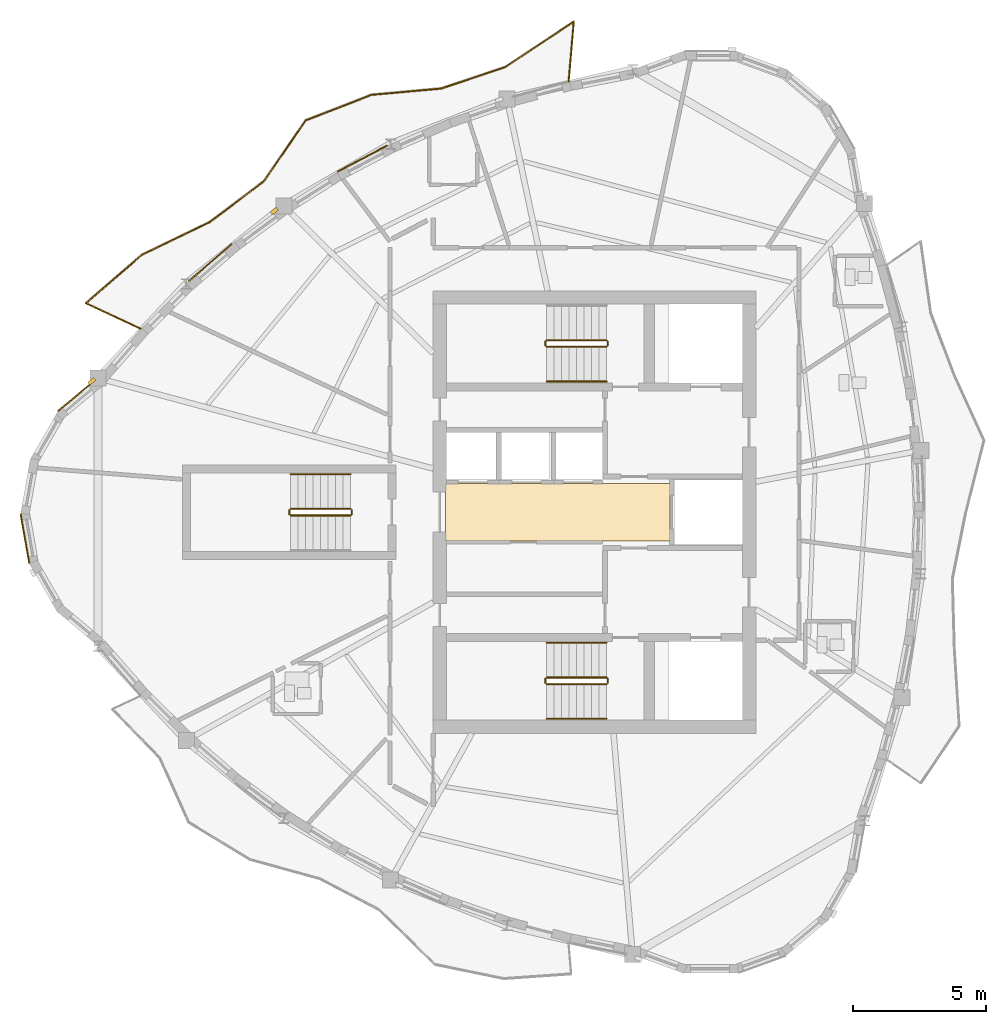
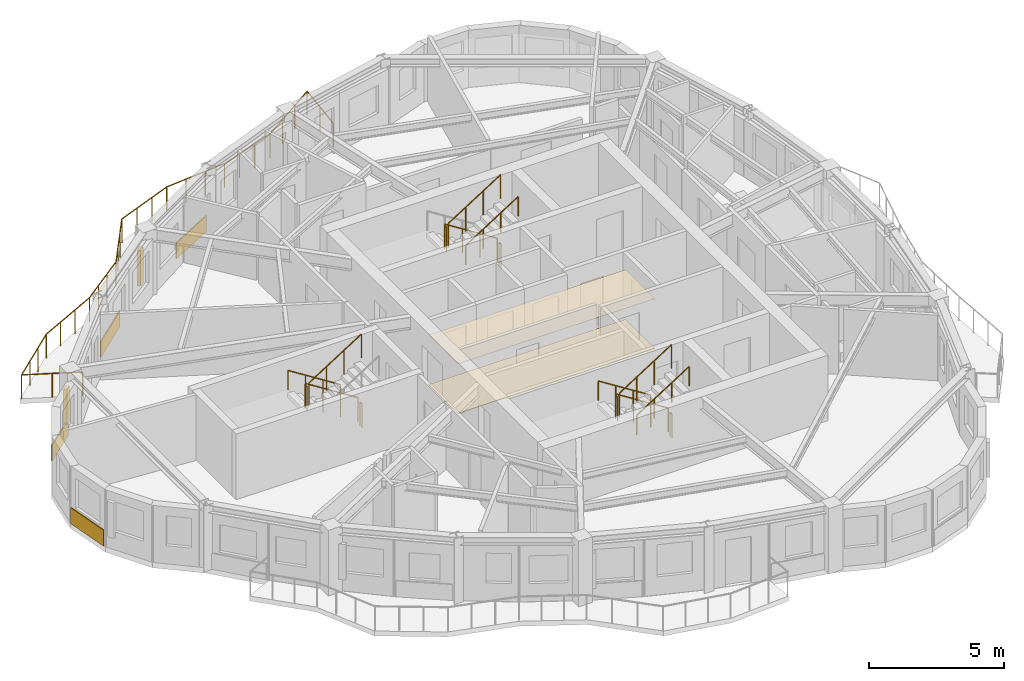
# One storey, part 10 of 12: 17 railings, 6 coverings, 2 shading devices.
"""IFC4 building model written with IfcOpenShell, lengths in metres."""

from ifc_helpers import new_model, si_unit, direction, frame, origin, origin_2d, place, context, subcontext, project, spatial, polyline, rectangle, circle, outline, extrude, source, transform, mapped, material, layer, layer_set, type_object, element, save


model = new_model("IFC4")

# Units and contexts
model_context = context("Model", 3, precision=1e-05, world=origin(), true_north=direction((0.0, 1.0)))
body_context = subcontext(model_context, "Body", "Model", "MODEL_VIEW")
ifc_project = project(units=[si_unit("LENGTHUNIT", "METRE"), si_unit("AREAUNIT", "SQUARE_METRE"), si_unit("VOLUMEUNIT", "CUBIC_METRE"), si_unit("PLANEANGLEUNIT", "RADIAN"), si_unit("MASSUNIT", "GRAM", prefix="KILO")], contexts=[model_context])

# Site, building, storey
site_placement = place(None, origin())
site = spatial("IfcSite", under=ifc_project, at=site_placement, CompositionType="ELEMENT")
building_placement = place(site_placement, origin())
building = spatial("IfcBuilding", under=site, at=building_placement, Name="Qafzar Sky-Pleat Residences", CompositionType="ELEMENT")
storey_placement = place(building_placement, frame((0.0, 0.0, 198.800048828125)))
storey = spatial("IfcBuildingStorey", under=building, at=storey_placement, Name="L59", CompositionType="ELEMENT", Elevation=198.800048828125)

# Coverings
ifc_material_1 = material(Name="Perforated acoustic gypsum board ceiling")
ifc_layer_1 = layer(ifc_material_1, 0.02001953125)
ifc_layer_set_1 = layer_set([ifc_layer_1], Name="Perforated acoustic gypsum board ceiling")
covering_type_1 = type_object("IfcCoveringType", Name="COV-CEIL-ACOUSTIC", PredefinedType="CEILING", material=ifc_layer_set_1)
covering_1_placement = place(storey_placement, frame((0.0, 0.0, 2.239990234375)))
element("IfcCovering", 1, at=covering_1_placement, inside=storey, type_object=covering_type_1, Name="L59 Passenger Lift Lobby Acoustic Ceiling", PredefinedType="CEILING", context=body_context, shape_type="SweptSolid", body=[
    extrude(outline(polyline([(33.179931640625, 24.919921875), (24.77001953125, 24.919921875), (24.77001953125, 27.080078125), (33.179931640625, 27.080078125), (33.179931640625, 24.919921875)])), origin(), (0.0, 0.0, 1.0), 0.02001953125),
])
ifc_material_2 = material(Name="Honed porcelain and Riyadh stone tile flooring", Category="masonry")
ifc_layer_2 = layer(ifc_material_2, 0.02001953125)
ifc_layer_set_2 = layer_set([ifc_layer_2], Name="Honed porcelain and Riyadh stone tile flooring")
covering_type_2 = type_object("IfcCoveringType", Name="COV-FLR-PORCELAIN", PredefinedType="FLOORING", material=ifc_layer_set_2)
covering_2_placement = place(storey_placement, origin())
element("IfcCovering", 2, at=covering_2_placement, inside=storey, type_object=covering_type_2, Name="L59 Passenger Lift Lobby Honed Stone Flooring", PredefinedType="FLOORING", context=body_context, shape_type="SweptSolid", body=[
    extrude(outline(polyline([(33.179931640625, 24.919921875), (24.77001953125, 24.919921875), (24.77001953125, 27.080078125), (33.179931640625, 27.080078125), (33.179931640625, 24.919921875)])), origin(), (0.0, 0.0, 1.0), 0.02001953125),
])

# Shading devices
ifc_material_3 = material(Name="Honed Riyadh limestone solar fin", Category="masonry")
ifc_layer_3 = layer(ifc_material_3, 0.139892578125)
ifc_layer_set_3 = layer_set([ifc_layer_3], Name="Honed Riyadh limestone solar fin")
shading_device_type = type_object("IfcShadingDeviceType", Name="SHD-FIN-STONE", PredefinedType="SHUTTER", material=ifc_layer_set_3)
shared_shape_1 = source(origin(), body_context, "Body", "SweptSolid", [
    extrude(rectangle(XDim=0.139892578125, YDim=0.280029296875, at=origin_2d()), origin(), (0.0, 0.0, 1.0), 1.60009765625),
])
for number, where, z_axis, x_axis, name in (
    (3, (11.498046875, 30.90478515625, 0.599853515625), (0.0, 0.0, 1.0), (-0.642754210861, 0.76607246682, 0.0), "L59 Limestone Solar Fin 1"),
    (4, (18.345703125, 37.296630859375, 0.599853515625), (0.0, 0.0, 1.0), (-0.594855767827, 0.803832454858, 0.0), "L59 Limestone Solar Fin 45"),
):
    element("IfcShadingDevice", number, at=place(storey_placement, frame(where, z_axis=z_axis, x_axis=x_axis)), inside=storey, type_object=shading_device_type, Name=name, PredefinedType="SHUTTER", context=body_context, shape_type="MappedRepresentation", body=[
        mapped(shared_shape_1, transform((0.0, 0.0, 0.0), x_axis=(1.0, 0.0, 0.0), y_axis=(0.0, 1.0, 0.0), z_axis=(0.0, 0.0, 1.0), scale=1.0)),
    ])

# Covering
ifc_material_4 = material(Name="Honed Riyadh Tuwaiq limestone cladding", Category="masonry")
ifc_layer_4 = layer(ifc_material_4, 0.044921875)
ifc_layer_set_4 = layer_set([ifc_layer_4], Name="Honed Riyadh Tuwaiq limestone cladding")
covering_type_3 = type_object("IfcCoveringType", Name="COV-CLAD-STONE", PredefinedType="CLADDING", material=ifc_layer_set_4)
shared_shape_2 = source(origin(), body_context, "Body", "SweptSolid", [
    extrude(rectangle(XDim=1.88134765625, YDim=0.044921875, at=origin_2d()), origin(), (0.0, 0.0, 1.0), 0.719970703125),
])
covering_3_placement = place(storey_placement, frame((8.993408203125, 25.00439453125, 0.02001953125), z_axis=(0.0, 0.0, 1.0), x_axis=(0.173662519465, -0.984805224059, 0.0)))
element("IfcCovering", 5, at=covering_3_placement, inside=storey, type_object=covering_type_3, Name="L59 Riyadh Limestone Spandrel Cladding 4", PredefinedType="CLADDING", context=body_context, shape_type="MappedRepresentation", body=[
    mapped(shared_shape_2, transform((0.0, 0.0, 0.0), x_axis=(1.0, 0.0, 0.0), y_axis=(0.0, 1.0, 0.0), z_axis=(0.0, 0.0, 1.0), scale=1.0)),
])

# Railing
ifc_material_5 = material(Name="Laminated glass and bronze steel balustrade", Category="steel")
railing_type_1 = type_object("IfcRailingType", Name="RAIL-BAL-1100", PredefinedType="BALUSTRADE", material=ifc_material_5)
shared_shape_3 = source(origin(), body_context, "Body", "SweptSolid", [
    extrude(circle(Radius=0.02392578125, at=origin_2d()), frame((0.0, 0.0, 1.076171875), z_axis=(0.085358453155, 0.996350307108, 0.0), x_axis=(-0.996350307108, 0.085358453155, 0.0)), (0.0, 0.0, 1.0), 2.27099609375),
    extrude(circle(Radius=0.02392578125, at=origin_2d()), frame((0.19384765625, 2.2626953125, 1.076171875), z_axis=(-0.833250144576, -0.552896189682, 0.0), x_axis=(0.552896189682, -0.833250144576, 0.0)), (0.0, 0.0, 1.0), 3.093994140625),
    extrude(circle(Radius=0.02392578125, at=origin_2d()), frame((-2.38427734375, 0.552001953125, 1.076171875), z_axis=(-0.948692940758, -0.316198836425, 0.0), x_axis=(0.316198836425, -0.948692940758, 0.0)), (0.0, 0.0, 1.0), 2.53173828125),
    extrude(circle(Radius=0.02392578125, at=origin_2d()), frame((-4.7861328125, -0.24853515625, 1.076171875), z_axis=(-0.99596725281, -0.089717508496, 0.0), x_axis=(0.089717508496, -0.99596725281, 0.0)), (0.0, 0.0, 1.0), 2.609619140625),
    extrude(circle(Radius=0.02392578125, at=origin_2d()), frame((-7.38525390625, -0.482666015625, 1.076171875), z_axis=(-0.932168391901, -0.362024984139, 0.0), x_axis=(0.362024984139, -0.932168391901, 0.0)), (0.0, 0.0, 1.0), 2.656982421875),
    extrude(circle(Radius=0.02392578125, at=origin_2d()), frame((-9.862060546875, -1.444580078125, 1.076171875), z_axis=(-0.565649900182, -0.824645493787, 0.0), x_axis=(0.824645493787, -0.565649900182, 0.0)), (0.0, 0.0, 1.0), 2.771484375),
    extrude(circle(Radius=0.02392578125, at=origin_2d()), frame((-11.4296875, -3.72998046875, 1.076171875), z_axis=(-0.798504701053, -0.601988573311, 0.0), x_axis=(0.601988573311, -0.798504701053, 0.0)), (0.0, 0.0, 1.0), 2.511962890625),
    extrude(circle(Radius=0.02392578125, at=origin_2d()), frame((-13.435546875, -5.2421875, 1.076171875), z_axis=(-0.900251456153, -0.435370320181, 0.0), x_axis=(0.435370320181, -0.900251456153, 0.0)), (0.0, 0.0, 1.0), 2.845947265625),
    extrude(circle(Radius=0.02392578125, at=origin_2d()), frame((-15.99755859375, -6.481201171875, 1.076171875), z_axis=(-0.756453597998, -0.654047363786, 0.0), x_axis=(0.654047363786, -0.756453597998, 0.0)), (0.0, 0.0, 1.0), 2.77978515625),
    extrude(circle(Radius=0.02392578125, at=origin_2d()), frame((-18.100341796875, -8.29931640625, 1.076171875), z_axis=(0.905511863564, -0.424320945683, 0.0), x_axis=(0.424320945683, 0.905511863564, 0.0)), (0.0, 0.0, 1.0), 2.27099609375),
    extrude(circle(Radius=0.02099609375, at=origin_2d()), origin(), (0.0, 0.0, 1.0), 1.052001953125),
    extrude(circle(Radius=0.02099609375, at=origin_2d()), frame((0.096923828125, 1.13134765625, 0.0)), (0.0, 0.0, 1.0), 1.052001953125),
    extrude(circle(Radius=0.02099609375, at=origin_2d()), frame((0.19384765625, 2.2626953125, 0.0)), (0.0, 0.0, 1.0), 1.052001953125),
    extrude(circle(Radius=0.02099609375, at=origin_2d()), frame((-0.66552734375, 1.6923828125, 0.0)), (0.0, 0.0, 1.0), 1.052001953125),
    extrude(circle(Radius=0.02099609375, at=origin_2d()), frame((-1.52490234375, 1.122314453125, 0.0)), (0.0, 0.0, 1.0), 1.052001953125),
    extrude(circle(Radius=0.02099609375, at=origin_2d()), frame((-2.38427734375, 0.552001953125, 0.0)), (0.0, 0.0, 1.0), 1.052001953125),
    extrude(circle(Radius=0.02099609375, at=origin_2d()), frame((-3.184814453125, 0.28515625, 0.0)), (0.0, 0.0, 1.0), 1.052001953125),
    extrude(circle(Radius=0.02099609375, at=origin_2d()), frame((-3.985595703125, 0.018310546875, 0.0)), (0.0, 0.0, 1.0), 1.052001953125),
    extrude(circle(Radius=0.02099609375, at=origin_2d()), frame((-4.7861328125, -0.24853515625, 0.0)), (0.0, 0.0, 1.0), 1.052001953125),
    extrude(circle(Radius=0.02099609375, at=origin_2d()), frame((-5.652587890625, -0.32666015625, 0.0)), (0.0, 0.0, 1.0), 1.052001953125),
    extrude(circle(Radius=0.02099609375, at=origin_2d()), frame((-6.518798828125, -0.404541015625, 0.0)), (0.0, 0.0, 1.0), 1.052001953125),
    extrude(circle(Radius=0.02099609375, at=origin_2d()), frame((-7.38525390625, -0.482666015625, 0.0)), (0.0, 0.0, 1.0), 1.052001953125),
    extrude(circle(Radius=0.02099609375, at=origin_2d()), frame((-8.2109375, -0.80322265625, 0.0)), (0.0, 0.0, 1.0), 1.052001953125),
    extrude(circle(Radius=0.02099609375, at=origin_2d()), frame((-9.036376953125, -1.1240234375, 0.0)), (0.0, 0.0, 1.0), 1.052001953125),
    extrude(circle(Radius=0.02099609375, at=origin_2d()), frame((-9.862060546875, -1.444580078125, 0.0)), (0.0, 0.0, 1.0), 1.052001953125),
    extrude(circle(Radius=0.02099609375, at=origin_2d()), frame((-10.384521484375, -2.206298828125, 0.0)), (0.0, 0.0, 1.0), 1.052001953125),
    extrude(circle(Radius=0.02099609375, at=origin_2d()), frame((-10.9072265625, -2.96826171875, 0.0)), (0.0, 0.0, 1.0), 1.052001953125),
    extrude(circle(Radius=0.02099609375, at=origin_2d()), frame((-11.4296875, -3.72998046875, 0.0)), (0.0, 0.0, 1.0), 1.052001953125),
    extrude(circle(Radius=0.02099609375, at=origin_2d()), frame((-12.098388671875, -4.234130859375, 0.0)), (0.0, 0.0, 1.0), 1.052001953125),
    extrude(circle(Radius=0.02099609375, at=origin_2d()), frame((-12.766845703125, -4.738037109375, 0.0)), (0.0, 0.0, 1.0), 1.052001953125),
    extrude(circle(Radius=0.02099609375, at=origin_2d()), frame((-13.435546875, -5.2421875, 0.0)), (0.0, 0.0, 1.0), 1.052001953125),
    extrude(circle(Radius=0.02099609375, at=origin_2d()), frame((-14.28955078125, -5.6552734375, 0.0)), (0.0, 0.0, 1.0), 1.052001953125),
    extrude(circle(Radius=0.02099609375, at=origin_2d()), frame((-15.1435546875, -6.068115234375, 0.0)), (0.0, 0.0, 1.0), 1.052001953125),
    extrude(circle(Radius=0.02099609375, at=origin_2d()), frame((-15.99755859375, -6.481201171875, 0.0)), (0.0, 0.0, 1.0), 1.052001953125),
    extrude(circle(Radius=0.02099609375, at=origin_2d()), frame((-16.698486328125, -7.087158203125, 0.0)), (0.0, 0.0, 1.0), 1.052001953125),
    extrude(circle(Radius=0.02099609375, at=origin_2d()), frame((-17.3994140625, -7.693359375, 0.0)), (0.0, 0.0, 1.0), 1.052001953125),
    extrude(circle(Radius=0.02099609375, at=origin_2d()), frame((-18.100341796875, -8.29931640625, 0.0)), (0.0, 0.0, 1.0), 1.052001953125),
    extrude(circle(Radius=0.02099609375, at=origin_2d()), frame((-17.072265625, -8.78125, 0.0)), (0.0, 0.0, 1.0), 1.052001953125),
    extrude(circle(Radius=0.02099609375, at=origin_2d()), frame((-16.0439453125, -9.262939453125, 0.0)), (0.0, 0.0, 1.0), 1.052001953125),
])
railing_placement = place(storey_placement, frame((29.38134765625, 42.13330078125, 0.0)))
element("IfcRailing", 6, at=railing_placement, inside=storey, type_object=railing_type_1, Name="L59 Pleated Balcony 2 Balustrade", PredefinedType="BALUSTRADE", context=body_context, shape_type="MappedRepresentation", body=[
    mapped(shared_shape_3, transform((0.0, 0.0, 0.0), x_axis=(1.0, 0.0, 0.0), y_axis=(0.0, 1.0, 0.0), z_axis=(0.0, 0.0, 1.0), scale=1.0)),
])

# Coverings
shared_shape_4 = source(origin(), body_context, "Body", "SweptSolid", [
    extrude(rectangle(XDim=1.76611328125, YDim=0.044921875, at=origin_2d()), origin(), (0.0, 0.0, 1.0), 0.719970703125),
])
covering_4_placement = place(storey_placement, frame((10.9052734375, 30.351318359375, 0.02001953125), z_axis=(0.0, 0.0, 1.0), x_axis=(-0.76607417096, -0.642752179762, 0.0)))
element("IfcCovering", 7, at=covering_4_placement, inside=storey, type_object=covering_type_3, Name="L59 Riyadh Limestone Spandrel Cladding 1", PredefinedType="CLADDING", context=body_context, shape_type="MappedRepresentation", body=[
    mapped(shared_shape_4, transform((0.0, 0.0, 0.0), x_axis=(1.0, 0.0, 0.0), y_axis=(0.0, 1.0, 0.0), z_axis=(0.0, 0.0, 1.0), scale=1.0)),
])
shared_shape_5 = source(origin(), body_context, "Body", "SweptSolid", [
    extrude(rectangle(XDim=2.100341796875, YDim=0.044921875, at=origin_2d()), origin(), (0.0, 0.0, 1.0), 0.719970703125),
])
covering_5_placement = place(storey_placement, frame((21.64892578125, 39.25830078125, 0.02001953125), z_axis=(0.0, 0.0, 1.0), x_axis=(-0.88438131344, -0.46676513627, 0.0)))
element("IfcCovering", 8, at=covering_5_placement, inside=storey, type_object=covering_type_3, Name="L59 Riyadh Limestone Spandrel Cladding 43", PredefinedType="CLADDING", context=body_context, shape_type="MappedRepresentation", body=[
    mapped(shared_shape_5, transform((0.0, 0.0, 0.0), x_axis=(1.0, 0.0, 0.0), y_axis=(0.0, 1.0, 0.0), z_axis=(0.0, 0.0, 1.0), scale=1.0)),
])
shared_shape_6 = source(origin(), body_context, "Body", "SweptSolid", [
    extrude(rectangle(XDim=2.135986328125, YDim=0.044921875, at=origin_2d()), origin(), (0.0, 0.0, 1.0), 0.719970703125),
])
covering_6_placement = place(storey_placement, frame((15.944091796875, 35.35986328125, 0.02001953125), z_axis=(0.0, 0.0, 1.0), x_axis=(-0.757478216227, -0.652860438334, 0.0)))
element("IfcCovering", 9, at=covering_6_placement, inside=storey, type_object=covering_type_3, Name="L59 Riyadh Limestone Spandrel Cladding 46", PredefinedType="CLADDING", context=body_context, shape_type="MappedRepresentation", body=[
    mapped(shared_shape_6, transform((0.0, 0.0, 0.0), x_axis=(1.0, 0.0, 0.0), y_axis=(0.0, 1.0, 0.0), z_axis=(0.0, 0.0, 1.0), scale=1.0)),
])

# Railings
ifc_material_6 = material(Name="Painted Steel S355 stair guardrail", Category="steel")
railing_type_2 = type_object("IfcRailingType", Name="RAIL-STAIR-GUARD", PredefinedType="GUARDRAIL", material=ifc_material_6)
shared_shape_7 = source(origin(), body_context, "Body", "SweptSolid", [
    extrude(circle(Radius=0.02392578125, at=origin_2d()), frame((0.0, 0.0, 1.076171875), z_axis=(0.0, -1.0, 0.0), x_axis=(1.0, 0.0, 0.0)), (0.0, 0.0, 1.0), 0.14990234375),
    extrude(circle(Radius=0.02099609375, at=origin_2d()), origin(), (0.0, 0.0, 1.0), 1.052001953125),
    extrude(circle(Radius=0.02099609375, at=origin_2d()), frame((0.0, -0.14990234375, 0.0)), (0.0, 0.0, 1.0), 1.052001953125),
])
for number, where, name in (
    (10, (28.510009765625, 19.75, 1.599853515625), "L59 ST1 stair guard 2"),
    (11, (30.85009765625, 19.75, 0.0), "L59 ST1 stair guard 4"),
    (12, (28.510009765625, 32.39990234375, 1.599853515625), "L59 ST2 stair guard 2"),
    (13, (30.85009765625, 32.39990234375, 0.0), "L59 ST2 stair guard 4"),
    (14, (18.909912109375, 26.074951171875, 1.599853515625), "L59 ST3 stair guard 2"),
    (15, (21.25, 26.074951171875, 0.0), "L59 ST3 stair guard 4"),
):
    element("IfcRailing", number, at=place(storey_placement, frame(where)), inside=storey, type_object=railing_type_2, Name=name, PredefinedType="GUARDRAIL", context=body_context, shape_type="MappedRepresentation", body=[
        mapped(shared_shape_7, transform((0.0, 0.0, 0.0), x_axis=(1.0, 0.0, 0.0), y_axis=(0.0, 1.0, 0.0), z_axis=(0.0, 0.0, 1.0), scale=1.0)),
    ])
shared_shape_8 = source(origin(), body_context, "Body", "SweptSolid", [
    extrude(circle(Radius=0.02392578125, at=origin_2d()), frame((0.0, 0.0, 1.076171875), z_axis=(-0.8442293374, 0.0, 0.53598211339), x_axis=(0.0, -1.0, 0.0)), (0.0, 0.0, 1.0), 2.6533203125),
    extrude(circle(Radius=0.02099609375, at=origin_2d()), origin(), (0.0, 0.0, 1.0), 1.052001953125),
    extrude(circle(Radius=0.02099609375, at=origin_2d()), frame((-0.74658203125, 0.0, 0.47412109375)), (0.0, 0.0, 1.0), 1.052001953125),
    extrude(circle(Radius=0.02099609375, at=origin_2d()), frame((-1.493408203125, 0.0, 0.947998046875)), (0.0, 0.0, 1.0), 1.052001953125),
    extrude(circle(Radius=0.02099609375, at=origin_2d()), frame((-2.239990234375, 0.0, 1.422119140625)), (0.0, 0.0, 1.0), 1.052001953125),
])
for number, where, name in (
    (16, (30.800048828125, 19.800048828125, 0.177734375), "L59 ST1 stair guard 1"),
    (17, (30.800048828125, 32.449951171875, 0.177734375), "L59 ST2 stair guard 1"),
    (18, (21.199951171875, 26.125, 0.177734375), "L59 ST3 stair guard 1"),
):
    element("IfcRailing", number, at=place(storey_placement, frame(where)), inside=storey, type_object=railing_type_2, Name=name, PredefinedType="GUARDRAIL", context=body_context, shape_type="MappedRepresentation", body=[
        mapped(shared_shape_8, transform((0.0, 0.0, 0.0), x_axis=(1.0, 0.0, 0.0), y_axis=(0.0, 1.0, 0.0), z_axis=(0.0, 0.0, 1.0), scale=1.0)),
    ])
shared_shape_9 = source(origin(), body_context, "Body", "SweptSolid", [
    extrude(circle(Radius=0.02392578125, at=origin_2d()), frame((0.0, 0.0, 1.076171875), z_axis=(0.8442293374, 0.0, 0.53598211339), x_axis=(0.0, 1.0, 0.0)), (0.0, 0.0, 1.0), 2.6533203125),
    extrude(circle(Radius=0.02099609375, at=origin_2d()), origin(), (0.0, 0.0, 1.0), 1.052001953125),
    extrude(circle(Radius=0.02099609375, at=origin_2d()), frame((0.74658203125, 0.0, 0.47412109375)), (0.0, 0.0, 1.0), 1.052001953125),
    extrude(circle(Radius=0.02099609375, at=origin_2d()), frame((1.493408203125, 0.0, 0.947998046875)), (0.0, 0.0, 1.0), 1.052001953125),
    extrude(circle(Radius=0.02099609375, at=origin_2d()), frame((2.239990234375, 0.0, 1.422119140625)), (0.0, 0.0, 1.0), 1.052001953125),
])
for number, where, name in (
    (19, (28.56005859375, 19.550048828125, 1.77783203125), "L59 ST1 stair guard 3"),
    (20, (28.56005859375, 32.199951171875, 1.77783203125), "L59 ST2 stair guard 3"),
    (21, (18.9599609375, 25.875, 1.77783203125), "L59 ST3 stair guard 3"),
):
    element("IfcRailing", number, at=place(storey_placement, frame(where)), inside=storey, type_object=railing_type_2, Name=name, PredefinedType="GUARDRAIL", context=body_context, shape_type="MappedRepresentation", body=[
        mapped(shared_shape_9, transform((0.0, 0.0, 0.0), x_axis=(1.0, 0.0, 0.0), y_axis=(0.0, 1.0, 0.0), z_axis=(0.0, 0.0, 1.0), scale=1.0)),
    ])
ifc_material_7 = material(Name="Brushed stainless steel handrail", Category="steel")
railing_type_3 = type_object("IfcRailingType", Name="RAIL-STAIR-HAND", PredefinedType="HANDRAIL", material=ifc_material_7)
shared_shape_10 = source(origin(), body_context, "Body", "SweptSolid", [
    extrude(circle(Radius=0.02392578125, at=origin_2d()), frame((0.0, 0.0, 0.8759765625), z_axis=(-0.8442293374, 0.0, 0.53598211339), x_axis=(0.0, -1.0, 0.0)), (0.0, 0.0, 1.0), 2.6533203125),
    extrude(circle(Radius=0.02099609375, at=origin_2d()), origin(), (0.0, 0.0, 1.0), 0.851806640625),
    extrude(circle(Radius=0.02099609375, at=origin_2d()), frame((-0.74658203125, 0.0, 0.47412109375)), (0.0, 0.0, 1.0), 0.851806640625),
    extrude(circle(Radius=0.02099609375, at=origin_2d()), frame((-1.493408203125, 0.0, 0.947998046875)), (0.0, 0.0, 1.0), 0.851806640625),
    extrude(circle(Radius=0.02099609375, at=origin_2d()), frame((-2.239990234375, 0.0, 1.422119140625)), (0.0, 0.0, 1.0), 0.851806640625),
])
for number, where, name in (
    (22, (30.800048828125, 21.10009765625, 0.177734375), "L59 ST1 stair handrail 1"),
    (23, (21.199951171875, 27.425048828125, 0.177734375), "L59 ST3 stair handrail 1"),
):
    element("IfcRailing", number, at=place(storey_placement, frame(where)), inside=storey, type_object=railing_type_3, Name=name, PredefinedType="HANDRAIL", context=body_context, shape_type="MappedRepresentation", body=[
        mapped(shared_shape_10, transform((0.0, 0.0, 0.0), x_axis=(1.0, 0.0, 0.0), y_axis=(0.0, 1.0, 0.0), z_axis=(0.0, 0.0, 1.0), scale=1.0)),
    ])
shared_shape_11 = source(origin(), body_context, "Body", "SweptSolid", [
    extrude(circle(Radius=0.02392578125, at=origin_2d()), frame((0.0, 0.0, 0.8759765625), z_axis=(0.8442293374, 0.0, 0.53598211339), x_axis=(0.0, 1.0, 0.0)), (0.0, 0.0, 1.0), 2.6533203125),
    extrude(circle(Radius=0.02099609375, at=origin_2d()), origin(), (0.0, 0.0, 1.0), 0.851806640625),
    extrude(circle(Radius=0.02099609375, at=origin_2d()), frame((0.74658203125, 0.0, 0.47412109375)), (0.0, 0.0, 1.0), 0.851806640625),
    extrude(circle(Radius=0.02099609375, at=origin_2d()), frame((1.493408203125, 0.0, 0.947998046875)), (0.0, 0.0, 1.0), 0.851806640625),
    extrude(circle(Radius=0.02099609375, at=origin_2d()), frame((2.239990234375, 0.0, 1.422119140625)), (0.0, 0.0, 1.0), 0.851806640625),
])
for number, where, name in (
    (24, (28.56005859375, 18.25, 1.77783203125), "L59 ST1 stair handrail 2"),
    (25, (28.56005859375, 30.89990234375, 1.77783203125), "L59 ST2 stair handrail 2"),
):
    element("IfcRailing", number, at=place(storey_placement, frame(where)), inside=storey, type_object=railing_type_3, Name=name, PredefinedType="HANDRAIL", context=body_context, shape_type="MappedRepresentation", body=[
        mapped(shared_shape_11, transform((0.0, 0.0, 0.0), x_axis=(1.0, 0.0, 0.0), y_axis=(0.0, 1.0, 0.0), z_axis=(0.0, 0.0, 1.0), scale=1.0)),
    ])

save(model, "model.ifc")
